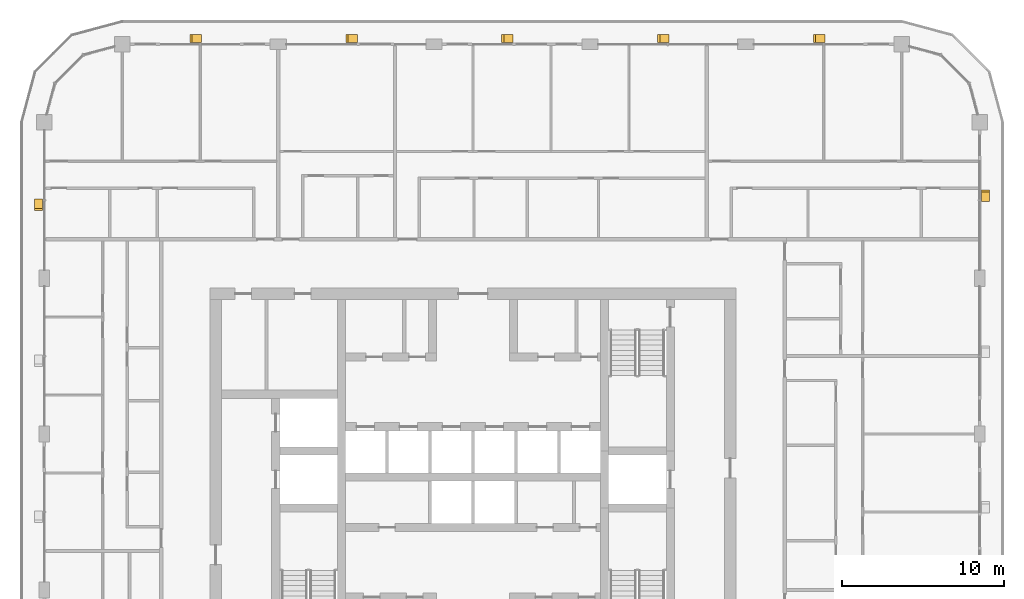
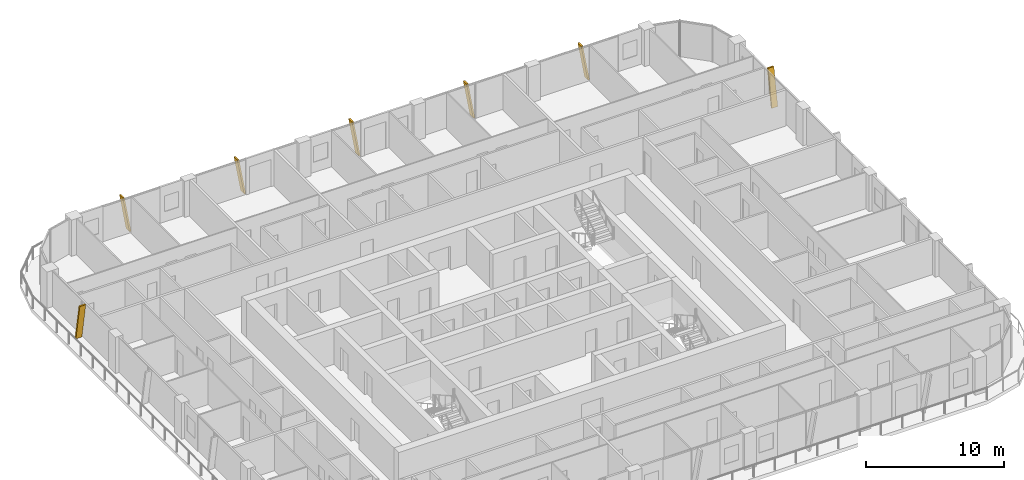
# One storey, part 23 of 23: 7 shading devices.
"""IFC4 building model written with IfcOpenShell, lengths in metres."""

import ifcopenshell
import ifcopenshell.guid

model = None  # the IFC model being written
_history = None  # IfcOwnerHistory: only IFC2X3 demands one
_inside = {}  # id of a spatial element -> (the spatial element, [elements in it])
_under = {}  # id of a project, library or spatial element -> (it, [spatial elements below it])
_declared = {}  # id of a project -> (the project, [libraries it declares])
_typed = {}  # id of a type object -> (the type object, [elements of that type])
_made_of = {}  # id of a material, layer set ... -> (it, [elements and type objects made of it])


def new_model(schema):
    """Start an empty IFC model of exactly this schema.

    Asked for "IFC4X3", IfcOpenShell would pick the latest addendum, in which some entities
    have other attributes; the version numbers below select the first issue.
    IFC2X3 requires an IfcOwnerHistory on every rooted entity: one is made here for all.
    """
    global model, _history
    if schema == "IFC4X3":
        model = ifcopenshell.file(schema_version=(4, 3, 0, 0))
    else:
        model = ifcopenshell.file(schema=schema)
    _inside.clear()
    _under.clear()
    _declared.clear()
    _typed.clear()
    _made_of.clear()
    _history = None
    if model.schema == "IFC2X3":
        org = make("IfcOrganization", Name="unknown")
        user = make(
            "IfcPersonAndOrganization",
            ThePerson=make("IfcPerson", FamilyName="unknown"),
            TheOrganization=org,
        )
        app = make(
            "IfcApplication",
            ApplicationDeveloper=org,
            Version="unknown",
            ApplicationFullName="unknown",
            ApplicationIdentifier="unknown",
        )
        _history = make(
            "IfcOwnerHistory",
            OwningUser=user,
            OwningApplication=app,
            ChangeAction="ADDED",
            CreationDate=0,
        )
    return model


def make(cls, **values):
    """One entity of the class cls with the attributes given. An attribute that is None is left unset."""
    return model.create_entity(
        cls, **{name: value for name, value in values.items() if value is not None}
    )


def rooted(cls, **values):
    """An entity with a GlobalId (a new one), such as an element, a storey or a relation."""
    return make(cls, GlobalId=ifcopenshell.guid.new(), OwnerHistory=_history, **values)


def si_unit(unit_type, name, prefix=None):
    """IfcSIUnit, for example si_unit("LENGTHUNIT", "METRE", prefix="MILLI")."""
    return make("IfcSIUnit", UnitType=unit_type, Prefix=prefix, Name=name)


def assignment(units):
    """IfcUnitAssignment: the units of a project."""
    return None if units is None else make("IfcUnitAssignment", Units=units)


def point(xyz):
    """IfcCartesianPoint."""
    return None if xyz is None else make("IfcCartesianPoint", Coordinates=xyz)


def direction(xyz):
    """IfcDirection."""
    return None if xyz is None else make("IfcDirection", DirectionRatios=xyz)


def frame(location, z_axis=None, x_axis=None):
    """IfcAxis2Placement3D, a coordinate frame: its origin and axes. An axis left out is left unset."""
    return make(
        "IfcAxis2Placement3D",
        Location=point(location),
        Axis=direction(z_axis),
        RefDirection=direction(x_axis),
    )


def origin():
    """The frame at (0, 0, 0) with its axes left unset."""
    return frame((0.0, 0.0, 0.0))


def place(relative_to, where):
    """IfcLocalPlacement: puts the frame where relative to a parent placement (None: the world)."""
    return make(
        "IfcLocalPlacement", PlacementRelTo=relative_to, RelativePlacement=where
    )


def context(
    kind, dimensions, precision=None, world=None, true_north=None, identifier=None
):
    """IfcGeometricRepresentationContext, for example the 3D "Model" context."""
    return make(
        "IfcGeometricRepresentationContext",
        ContextIdentifier=identifier,
        ContextType=kind,
        CoordinateSpaceDimension=dimensions,
        Precision=precision,
        WorldCoordinateSystem=world,
        TrueNorth=true_north,
    )


def subcontext(parent, identifier, kind, view, scale=None):
    """IfcGeometricRepresentationSubContext, for example "Body" below "Model"."""
    return make(
        "IfcGeometricRepresentationSubContext",
        ContextIdentifier=identifier,
        ContextType=kind,
        ParentContext=parent,
        TargetScale=scale,
        TargetView=view,
    )


def project(units=None, contexts=None):
    """IfcProject with its units and contexts."""
    return rooted(
        "IfcProject",
        Name="project",
        RepresentationContexts=contexts,
        UnitsInContext=assignment(units),
    )


def spatial(cls, under=None, at=None, **own):
    """A site, building, storey or space (cls), placed at a placement, below another one or the project."""
    s = rooted(cls, ObjectPlacement=at, **own)
    if under is not None:
        _under.setdefault(under.id(), (under, []))[1].append(s)
    return s


def polyline(points):
    """IfcPolyline through the points."""
    return make("IfcPolyline", Points=[point(p) for p in points])


def outline(outer, holes=None, kind="AREA"):
    """IfcArbitraryClosedProfileDef: a profile drawn as a closed curve; with holes, ...WithVoids."""
    if holes is None:
        return make("IfcArbitraryClosedProfileDef", ProfileType=kind, OuterCurve=outer)
    return make(
        "IfcArbitraryProfileDefWithVoids",
        ProfileType=kind,
        OuterCurve=outer,
        InnerCurves=holes,
    )


def extrude(swept, where, along, depth):
    """IfcExtrudedAreaSolid: the profile swept, set in the frame where, extruded along a direction by depth."""
    return make(
        "IfcExtrudedAreaSolid",
        SweptArea=swept,
        Position=where,
        ExtrudedDirection=direction(along),
        Depth=depth,
    )


def shape(context_of_items, identifier, shape_type, items):
    """IfcShapeRepresentation: the items that make up one representation, for example the "Body"."""
    return make(
        "IfcShapeRepresentation",
        ContextOfItems=context_of_items,
        RepresentationIdentifier=identifier,
        RepresentationType=shape_type,
        Items=items,
    )


def material(Name=None, Category=None):
    """IfcMaterial."""
    return make("IfcMaterial", Name=Name, Category=Category)


def made_of(thing, what):
    """Note that an element or type object is made of a material, layer set ...; save() writes the relation."""
    if what is not None:
        _made_of.setdefault(what.id(), (what, []))[1].append(thing)
    return thing


def type_object(cls, material=None, **own):
    """A type object (cls), such as IfcWallType, which elements share."""
    return made_of(rooted(cls, **own), material)


def element(
    cls,
    number,
    at=None,
    inside=None,
    cuts=None,
    type_object=None,
    material=None,
    context=None,
    identifier="Body",
    shape_type=None,
    held_by="IfcProductDefinitionShape",
    body=None,
    shapes=None,
    **own,
):
    """One element of the class cls, such as IfcWall. Its Tag is "e" and its number.

    at: its placement. inside: the storey or other place that contains it. cuts: it is an
    opening in that element (IfcRelVoidsElement). A single representation is given by context,
    identifier, shape_type and body (its items); several are given by shapes. held_by: the class
    of the entity that holds the representations. save() writes the other relations.
    """
    e = rooted(cls, Tag="e%d" % number, ObjectPlacement=at, **own)
    if body is not None:
        shapes = [shape(context, identifier, shape_type, body)]
    if shapes is not None:
        e.Representation = make(held_by, Representations=shapes)
    if inside is not None:
        _inside.setdefault(inside.id(), (inside, []))[1].append(e)
    if cuts is not None:
        rooted(
            "IfcRelVoidsElement", RelatingBuildingElement=cuts, RelatedOpeningElement=e
        )
    if type_object is not None:
        _typed.setdefault(type_object.id(), (type_object, []))[1].append(e)
    return made_of(e, material)


def aggregate(whole, parts):
    """IfcRelAggregates: a whole, such as a stair, and the parts it consists of."""
    return rooted("IfcRelAggregates", RelatingObject=whole, RelatedObjects=parts)


def save(model, path):
    """Write the relations noted so far, then the file.

    IfcRelAggregates (storeys below a building ...), IfcRelContainedInSpatialStructure (elements
    in a storey), IfcRelDefinesByType, IfcRelAssociatesMaterial and IfcRelDeclares: one each for
    every whole, place, type object, material and project.
    """
    for whole, parts in _under.values():
        aggregate(whole, parts)
    for where, things in _inside.values():
        rooted(
            "IfcRelContainedInSpatialStructure",
            RelatedElements=things,
            RelatingStructure=where,
        )
    for kind, things in _typed.values():
        rooted("IfcRelDefinesByType", RelatedObjects=things, RelatingType=kind)
    for what, things in _made_of.values():
        rooted("IfcRelAssociatesMaterial", RelatedObjects=things, RelatingMaterial=what)
    for by, libraries in _declared.values():
        rooted("IfcRelDeclares", RelatingContext=by, RelatedDefinitions=libraries)
    model.write(path)


model = new_model("IFC4")

# Units and contexts
model_context = context("Model", 3, precision=1e-05, world=origin(), true_north=direction((0.0, 1.0)))
body_context = subcontext(model_context, "Body", "Model", "MODEL_VIEW")
ifc_project = project(units=[si_unit("LENGTHUNIT", "METRE"), si_unit("AREAUNIT", "SQUARE_METRE"), si_unit("VOLUMEUNIT", "CUBIC_METRE"), si_unit("PLANEANGLEUNIT", "RADIAN"), si_unit("MASSUNIT", "GRAM", prefix="KILO")], contexts=[model_context])

# Site, building, storey
site_placement = place(None, origin())
site = spatial("IfcSite", under=ifc_project, at=site_placement, CompositionType="ELEMENT")
building_placement = place(site_placement, origin())
building = spatial("IfcBuilding", under=site, at=building_placement, Name="Madar Terraces", CompositionType="ELEMENT")
storey_placement = place(building_placement, frame((0.0, 0.0, 226.300048828125)))
storey = spatial("IfcBuildingStorey", under=building, at=storey_placement, Name="L59", CompositionType="ELEMENT", Elevation=226.300048828125)

# Shading devices
ifc_material = material(Name="Aluminium, black anodised", Category="aluminium")
shading_device_type = type_object("IfcShadingDeviceType", Name="Facade fin blade 140 x 500", PredefinedType="USERDEFINED", material=ifc_material)
for number, where, z_axis, x_axis, name in (
    (1, (62.75, 43.1298828125, 0.0), (0.0, 0.0, 1.0), (0.0, 1.0, 0.0), "FIN L59 E4"),
    (2, (52.8701171875, 53.14990234375, 0.0), (0.0, 0.0, 1.0), (-1.0, 0.0, 0.0), "FIN L59 N1"),
    (3, (43.27001953125, 53.14990234375, 0.0), (0.0, 0.0, 1.0), (-1.0, 0.0, 0.0), "FIN L59 N2"),
):
    element("IfcShadingDevice", number, at=place(storey_placement, frame(where, z_axis=z_axis, x_axis=x_axis)), inside=storey, type_object=shading_device_type, Name=name, ObjectType="FIN", PredefinedType="USERDEFINED", context=body_context, shape_type="SweptSolid", body=[
        extrude(outline(polyline([(0.0, 0.0), (0.14013671875, 0.0), (0.704345703125, 3.199951171875), (0.564208984375, 3.199951171875), (0.0, 0.0)])), frame((0.0, 0.25, 0.0), z_axis=(0.0, -1.0, 0.0), x_axis=(1.0, 0.0, 0.0)), (0.0, 0.0, 1.0), 0.5),
    ])
shading_device_1_placement = place(storey_placement, frame((33.669921875, 53.14990234375, 0.0), z_axis=(0.0, 0.0, 1.0), x_axis=(-1.0, 0.0, 0.0)))
element("IfcShadingDevice", 4, at=shading_device_1_placement, inside=storey, type_object=shading_device_type, Name="FIN L59 N3", ObjectType="FIN", PredefinedType="USERDEFINED", context=body_context, shape_type="SweptSolid", body=[
    extrude(outline(polyline([(0.0, 0.0), (0.139892578125, 0.0), (0.704345703125, 3.199951171875), (0.564208984375, 3.199951171875), (0.0, 0.0)])), frame((0.0, 0.25, 0.0), z_axis=(0.0, -1.0, 0.0), x_axis=(1.0, 0.0, 0.0)), (0.0, 0.0, 1.0), 0.5),
])
shading_device_2_placement = place(storey_placement, frame((24.070068359375, 53.14990234375, 0.0), z_axis=(0.0, 0.0, 1.0), x_axis=(-1.0, 0.0, 0.0)))
element("IfcShadingDevice", 5, at=shading_device_2_placement, inside=storey, type_object=shading_device_type, Name="FIN L59 N4", ObjectType="FIN", PredefinedType="USERDEFINED", context=body_context, shape_type="SweptSolid", body=[
    extrude(outline(polyline([(0.0, 0.0), (0.14013671875, 0.0), (0.704345703125, 3.199951171875), (0.564208984375, 3.199951171875), (0.0, 0.0)])), frame((0.0, 0.25, 0.0), z_axis=(0.0, -1.0, 0.0), x_axis=(1.0, 0.0, 0.0)), (0.0, 0.0, 1.0), 0.5),
])
shading_device_3_placement = place(storey_placement, frame((14.469970703125, 53.14990234375, 0.0), z_axis=(0.0, 0.0, 1.0), x_axis=(-1.0, 0.0, 0.0)))
element("IfcShadingDevice", 6, at=shading_device_3_placement, inside=storey, type_object=shading_device_type, Name="FIN L59 N5", ObjectType="FIN", PredefinedType="USERDEFINED", context=body_context, shape_type="SweptSolid", body=[
    extrude(outline(polyline([(0.0, 0.0), (0.139892578125, 0.0), (0.704345703125, 3.199951171875), (0.564208984375, 3.199951171875), (0.0, 0.0)])), frame((0.0, 0.25, 0.0), z_axis=(0.0, -1.0, 0.0), x_axis=(1.0, 0.0, 0.0)), (0.0, 0.0, 1.0), 0.5),
])
shading_device_4_placement = place(storey_placement, frame((4.449951171875, 43.27001953125, 0.0), z_axis=(0.0, 0.0, 1.0), x_axis=(0.0, -1.0, 0.0)))
element("IfcShadingDevice", 7, at=shading_device_4_placement, inside=storey, type_object=shading_device_type, Name="FIN L59 W1", ObjectType="FIN", PredefinedType="USERDEFINED", context=body_context, shape_type="SweptSolid", body=[
    extrude(outline(polyline([(0.0, 0.0), (0.14013671875, 0.0), (0.704345703125, 3.199951171875), (0.564208984375, 3.199951171875), (0.0, 0.0)])), frame((0.0, 0.25, 0.0), z_axis=(0.0, -1.0, 0.0), x_axis=(1.0, 0.0, 0.0)), (0.0, 0.0, 1.0), 0.5),
])

save(model, "model.ifc")
